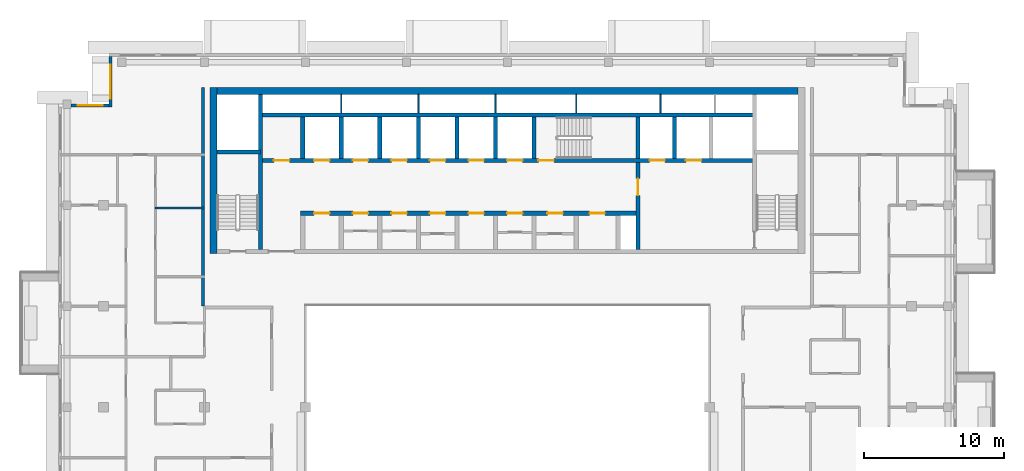
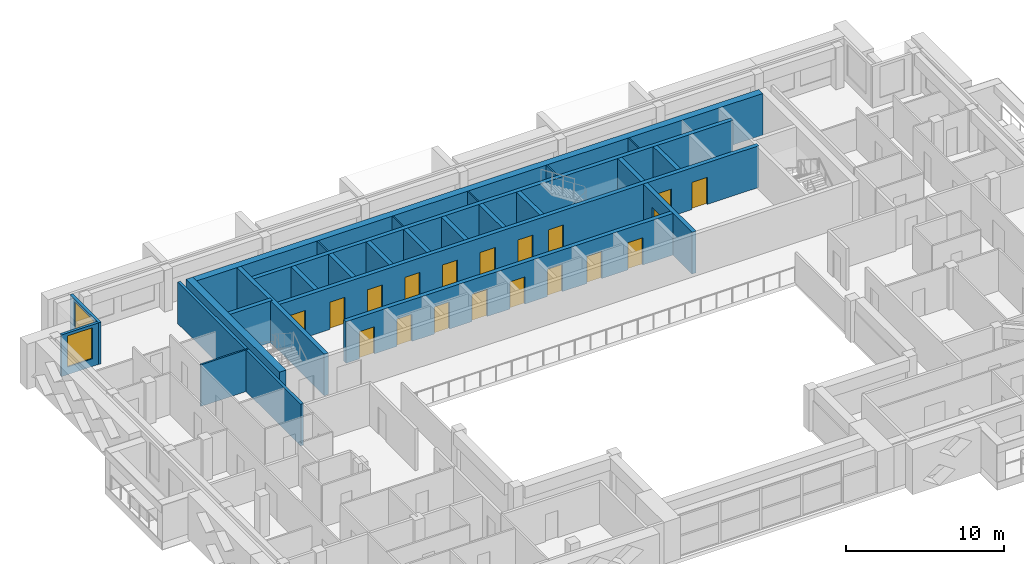
# One storey, part 10 of 19: 26 walls, 19 doors, 2 windows, 21 openings.
"""IFC4 building model written with IfcOpenShell, lengths in metres."""

from ifc_helpers import new_model, si_unit, direction, frame, frame_2d, origin, place, context, subcontext, project, spatial, rectangle, extrude, material, layer, layer_set, type_object, element, fill, save


model = new_model("IFC4")

# Units and contexts
model_context = context("Model", 3, precision=1e-05, world=origin(), true_north=direction((0.0, 1.0)))
body_context = subcontext(model_context, "Body", "Model", "MODEL_VIEW")
ifc_project = project(units=[si_unit("LENGTHUNIT", "METRE"), si_unit("AREAUNIT", "SQUARE_METRE"), si_unit("VOLUMEUNIT", "CUBIC_METRE"), si_unit("PLANEANGLEUNIT", "RADIAN"), si_unit("MASSUNIT", "GRAM", prefix="KILO")], contexts=[model_context])

# Site, building, storey
site_placement = place(None, origin())
site = spatial("IfcSite", under=ifc_project, at=site_placement, CompositionType="ELEMENT")
building_placement = place(site_placement, origin())
building = spatial("IfcBuilding", under=site, at=building_placement, Name="Saffron Iwan Residences", CompositionType="ELEMENT")
storey_placement = place(building_placement, frame((0.0, 0.0, 253.5)))
storey = spatial("IfcBuildingStorey", under=building, at=storey_placement, Name="L68", CompositionType="ELEMENT", Elevation=253.5)

# Wall, opening, window
ifc_material_1 = material(Name="Concrete C40/50", Category="concrete")
ifc_layer_1 = layer(ifc_material_1, 0.199951171875)
ifc_layer_set_1 = layer_set([ifc_layer_1], Name="Concrete C40/50")
wall_type_1 = type_object("IfcWallType", Name="EXTERNAL WALL 200", PredefinedType="SOLIDWALL", material=ifc_layer_set_1)
wall_1_placement = place(storey_placement, frame((22.10009765625, 80.199951171875, 0.0), z_axis=(0.0, 0.0, 1.0), x_axis=(0.0, -1.0, 0.0)))
wall_1 = element("IfcWall", 1, at=wall_1_placement, inside=storey, type_object=wall_type_1, Name="External wall L68 F6.0", PredefinedType="SOLIDWALL", context=body_context, shape_type="SweptSolid", body=[
    extrude(rectangle(XDim=3.599853515625, YDim=0.199951171875, at=frame_2d((1.7998046875, 0.0))), origin(), (0.0, 0.0, 1.0), 3.219970703125),
])
opening_1_placement = place(wall_1_placement, frame((0.60009765625, 0.0, 0.60009765625)))
opening_1 = element("IfcOpeningElement", 2, at=opening_1_placement, cuts=wall_1, Name="Opening W1", PredefinedType="OPENING", context=body_context, shape_type="SweptSolid", body=[
    extrude(rectangle(XDim=2.39990234375, YDim=2.39990234375, at=frame_2d((1.199951171875, 1.199951171875))), frame((0.0, 0.10986328125, 0.0), z_axis=(0.0, -1.0, 0.0), x_axis=(1.0, 0.0, 0.0)), (0.0, 0.0, 1.0), 0.219970703125),
])
ifc_material_2 = material(Name="Clear glass, laminated double glazed", Category="glass")
window_type_1 = type_object("IfcWindowType", Name="WINDOW 2400 x 2400", PartitioningType="DOUBLE_PANEL_VERTICAL", PredefinedType="WINDOW", material=ifc_material_2)
window_1_placement = place(opening_1_placement, origin())
window_1 = element("IfcWindow", 3, at=window_1_placement, inside=storey, type_object=window_type_1, Name="Window L68 F6.0", OverallHeight=2.39990234375, OverallWidth=2.39990234375, PartitioningType="DOUBLE_PANEL_VERTICAL", PredefinedType="WINDOW", context=body_context, shape_type="SweptSolid", body=[
    extrude(rectangle(XDim=2.39990234375, YDim=2.39990234375, at=frame_2d((1.199951171875, 1.199951171875))), frame((0.0, 0.030029296875, 0.0), z_axis=(0.0, -1.0, 0.0), x_axis=(1.0, 0.0, 0.0)), (0.0, 0.0, 1.0), 0.06005859375),
])
fill(opening_1, window_1)

wall_2_placement = place(storey_placement, frame((22.0, 76.699951171875, 0.0), z_axis=(0.0, 0.0, 1.0), x_axis=(-1.0, 0.0, 0.0)))
wall_2 = element("IfcWall", 4, at=wall_2_placement, inside=storey, type_object=wall_type_1, Name="External wall L68 F7.0", PredefinedType="SOLIDWALL", context=body_context, shape_type="SweptSolid", body=[
    extrude(rectangle(XDim=2.699951171875, YDim=0.199951171875, at=frame_2d((1.35009765625, 0.0))), origin(), (0.0, 0.0, 1.0), 3.219970703125),
])
opening_2_placement = place(wall_2_placement, frame((0.449951171875, 0.0, 0.60009765625)))
opening_2 = element("IfcOpeningElement", 5, at=opening_2_placement, cuts=wall_2, Name="Opening W8", PredefinedType="OPENING", context=body_context, shape_type="SweptSolid", body=[
    extrude(rectangle(XDim=1.800048828125, YDim=2.39990234375, at=frame_2d((0.89990234375, 1.199951171875))), frame((0.0, 0.10986328125, 0.0), z_axis=(0.0, -1.0, 0.0), x_axis=(1.0, 0.0, 0.0)), (0.0, 0.0, 1.0), 0.219970703125),
])
window_type_2 = type_object("IfcWindowType", Name="WINDOW 1800 x 2400", PartitioningType="DOUBLE_PANEL_VERTICAL", PredefinedType="WINDOW", material=ifc_material_2)
window_2_placement = place(opening_2_placement, origin())
window_2 = element("IfcWindow", 6, at=window_2_placement, inside=storey, type_object=window_type_2, Name="Window L68 F7.0", OverallHeight=2.39990234375, OverallWidth=1.800048828125, PartitioningType="DOUBLE_PANEL_VERTICAL", PredefinedType="WINDOW", context=body_context, shape_type="SweptSolid", body=[
    extrude(rectangle(XDim=1.800048828125, YDim=2.39990234375, at=frame_2d((0.89990234375, 1.199951171875))), frame((0.0, 0.030029296875, 0.0), z_axis=(0.0, -1.0, 0.0), x_axis=(1.0, 0.0, 0.0)), (0.0, 0.0, 1.0), 0.06005859375),
])
fill(opening_2, window_2)

# Walls
ifc_material_3 = material(Name="Gypsum board partition")
ifc_layer_2 = layer(ifc_material_3, 0.1201171875)
ifc_layer_set_2 = layer_set([ifc_layer_2], Name="Gypsum board partition")
wall_type_2 = type_object("IfcWallType", Name="Flat partition 120", PredefinedType="PARTITIONING", material=ifc_layer_set_2)
wall_3_placement = place(storey_placement, frame((25.300048828125, 69.39990234375, 0.0), z_axis=(0.0, 0.0, 1.0), x_axis=(1.0, 0.0, 0.0)))
element("IfcWall", 7, at=wall_3_placement, inside=storey, type_object=wall_type_2, Name="W-L68-PART-h69.4-25.3", PredefinedType="PARTITIONING", context=body_context, shape_type="SweptSolid", body=[
    extrude(rectangle(XDim=3.5, YDim=0.1201171875, at=frame_2d((1.75, 0.0))), origin(), (0.0, 0.0, 1.0), 3.219970703125),
])
ifc_material_4 = material(Name="Fire-rated gypsum board wall")
ifc_layer_3 = layer(ifc_material_4, 0.199951171875)
ifc_layer_set_3 = layer_set([ifc_layer_3], Name="Fire-rated gypsum board wall")
wall_type_3 = type_object("IfcWallType", Name="Gallery wall 200", PredefinedType="SOLIDWALL", material=ifc_layer_set_3)
wall_4_placement = place(storey_placement, frame((28.699951171875, 62.39990234375, 0.0), z_axis=(0.0, 0.0, 1.0), x_axis=(0.0, 1.0, 0.0)))
element("IfcWall", 8, at=wall_4_placement, inside=storey, type_object=wall_type_3, Name="W-L68-CORR-v28.8-62.4", PredefinedType="SOLIDWALL", context=body_context, shape_type="SweptSolid", body=[
    extrude(rectangle(XDim=15.60009765625, YDim=0.199951171875, at=frame_2d((7.800048828125, 0.0))), origin(), (0.0, 0.0, 1.0), 3.219970703125),
])
ifc_material_5 = material(Name="Fire-rated plasterboard partition")
ifc_layer_4 = layer(ifc_material_5, 0.10009765625)
ifc_layer_set_4 = layer_set([ifc_layer_4], Name="Fire-rated plasterboard partition")
wall_type_4 = type_object("IfcWallType", Name="Riser partition 100", PredefinedType="PARTITIONING", material=ifc_layer_set_4)
for number, where, z_axis, x_axis, name in (
    (9, (38.550048828125, 76.175048828125, 0.0), (0.0, 0.0, 1.0), (0.0, 1.0, 0.0), "Core partition P06"),
    (10, (44.050048828125, 76.175048828125, 0.0), (0.0, 0.0, 1.0), (0.0, 1.0, 0.0), "Core partition P07"),
    (11, (49.550048828125, 76.175048828125, 0.0), (0.0, 0.0, 1.0), (0.0, 1.0, 0.0), "Core partition P08"),
    (12, (55.300048828125, 76.175048828125, 0.0), (0.0, 0.0, 1.0), (0.0, 1.0, 0.0), "Core partition P09"),
    (13, (61.300048828125, 76.175048828125, 0.0), (0.0, 0.0, 1.0), (0.0, 1.0, 0.0), "Core partition P10"),
):
    element("IfcWall", number, at=place(storey_placement, frame(where, z_axis=z_axis, x_axis=x_axis)), inside=storey, type_object=wall_type_4, Name=name, PredefinedType="PARTITIONING", context=body_context, shape_type="SweptSolid", body=[
        extrude(rectangle(XDim=1.324951171875, YDim=0.10009765625, at=frame_2d((0.66259765625, 0.0))), origin(), (0.0, 0.0, 1.0), 3.219970703125),
    ])

# Wall, openings, doors
ifc_layer_5 = layer(ifc_material_1, 0.300048828125)
ifc_layer_set_5 = layer_set([ifc_layer_5], Name="Concrete C40/50")
wall_type_5 = type_object("IfcWallType", Name="WALL CORE 300 C40/50 3220 HIGH", PredefinedType="SHEAR", material=ifc_layer_set_5)
wall_5_placement = place(storey_placement, frame((35.64990234375, 69.02490234375, 0.0), z_axis=(0.0, 0.0, 1.0), x_axis=(1.0, 0.0, 0.0)))
wall_5 = element("IfcWall", 14, at=wall_5_placement, inside=storey, type_object=wall_type_5, Name="Core wall", PredefinedType="SHEAR", context=body_context, shape_type="SweptSolid", body=[
    extrude(rectangle(XDim=24.050048828125, YDim=0.300048828125, at=frame_2d((12.02490234375, 0.0))), origin(), (0.0, 0.0, 1.0), 3.219970703125),
])
opening_3_placement = place(wall_5_placement, frame((0.97509765625, 0.0, 0.0)))
opening_3 = element("IfcOpeningElement", 15, at=opening_3_placement, cuts=wall_5, Name="Opening SR", PredefinedType="OPENING", context=body_context, shape_type="SweptSolid", body=[
    extrude(rectangle(XDim=1.10009765625, YDim=2.10009765625, at=frame_2d((0.550048828125, 1.050048828125))), frame((0.0, 0.16015625, 0.0), z_axis=(0.0, -1.0, 0.0), x_axis=(1.0, 0.0, 0.0)), (0.0, 0.0, 1.0), 0.320068359375),
])
opening_4_placement = place(wall_5_placement, frame((3.72509765625, 0.0, 0.0)))
opening_4 = element("IfcOpeningElement", 16, at=opening_4_placement, cuts=wall_5, Name="Opening SR", PredefinedType="OPENING", context=body_context, shape_type="SweptSolid", body=[
    extrude(rectangle(XDim=1.10009765625, YDim=2.10009765625, at=frame_2d((0.550048828125, 1.050048828125))), frame((0.0, 0.16015625, 0.0), z_axis=(0.0, -1.0, 0.0), x_axis=(1.0, 0.0, 0.0)), (0.0, 0.0, 1.0), 0.320068359375),
])
opening_5_placement = place(wall_5_placement, frame((6.47509765625, 0.0, 0.0)))
opening_5 = element("IfcOpeningElement", 17, at=opening_5_placement, cuts=wall_5, Name="Opening SR", PredefinedType="OPENING", context=body_context, shape_type="SweptSolid", body=[
    extrude(rectangle(XDim=1.10009765625, YDim=2.10009765625, at=frame_2d((0.550048828125, 1.050048828125))), frame((0.0, 0.16015625, 0.0), z_axis=(0.0, -1.0, 0.0), x_axis=(1.0, 0.0, 0.0)), (0.0, 0.0, 1.0), 0.320068359375),
])
opening_6_placement = place(wall_5_placement, frame((9.22509765625, 0.0, 0.0)))
opening_6 = element("IfcOpeningElement", 18, at=opening_6_placement, cuts=wall_5, Name="Opening SR", PredefinedType="OPENING", context=body_context, shape_type="SweptSolid", body=[
    extrude(rectangle(XDim=1.10009765625, YDim=2.10009765625, at=frame_2d((0.550048828125, 1.050048828125))), frame((0.0, 0.16015625, 0.0), z_axis=(0.0, -1.0, 0.0), x_axis=(1.0, 0.0, 0.0)), (0.0, 0.0, 1.0), 0.320068359375),
])
opening_7_placement = place(wall_5_placement, frame((11.97509765625, 0.0, 0.0)))
opening_7 = element("IfcOpeningElement", 19, at=opening_7_placement, cuts=wall_5, Name="Opening SR", PredefinedType="OPENING", context=body_context, shape_type="SweptSolid", body=[
    extrude(rectangle(XDim=1.10009765625, YDim=2.10009765625, at=frame_2d((0.550048828125, 1.050048828125))), frame((0.0, 0.16015625, 0.0), z_axis=(0.0, -1.0, 0.0), x_axis=(1.0, 0.0, 0.0)), (0.0, 0.0, 1.0), 0.320068359375),
])
opening_8_placement = place(wall_5_placement, frame((14.72509765625, 0.0, 0.0)))
opening_8 = element("IfcOpeningElement", 20, at=opening_8_placement, cuts=wall_5, Name="Opening SR", PredefinedType="OPENING", context=body_context, shape_type="SweptSolid", body=[
    extrude(rectangle(XDim=1.10009765625, YDim=2.10009765625, at=frame_2d((0.550048828125, 1.050048828125))), frame((0.0, 0.16015625, 0.0), z_axis=(0.0, -1.0, 0.0), x_axis=(1.0, 0.0, 0.0)), (0.0, 0.0, 1.0), 0.320068359375),
])
opening_9_placement = place(wall_5_placement, frame((17.60009765625, 0.0, 0.0)))
opening_9 = element("IfcOpeningElement", 21, at=opening_9_placement, cuts=wall_5, Name="Opening SR", PredefinedType="OPENING", context=body_context, shape_type="SweptSolid", body=[
    extrude(rectangle(XDim=1.10009765625, YDim=2.10009765625, at=frame_2d((0.550048828125, 1.050048828125))), frame((0.0, 0.16015625, 0.0), z_axis=(0.0, -1.0, 0.0), x_axis=(1.0, 0.0, 0.0)), (0.0, 0.0, 1.0), 0.320068359375),
])
opening_10_placement = place(wall_5_placement, frame((20.60009765625, 0.0, 0.0)))
opening_10 = element("IfcOpeningElement", 22, at=opening_10_placement, cuts=wall_5, Name="Opening SR", PredefinedType="OPENING", context=body_context, shape_type="SweptSolid", body=[
    extrude(rectangle(XDim=1.10009765625, YDim=2.10009765625, at=frame_2d((0.550048828125, 1.050048828125))), frame((0.0, 0.16015625, 0.0), z_axis=(0.0, -1.0, 0.0), x_axis=(1.0, 0.0, 0.0)), (0.0, 0.0, 1.0), 0.320068359375),
])
ifc_material_6 = material(Name="Steel fire door", Category="steel")
door_type_1 = type_object("IfcDoorType", Name="Service door 1100", OperationType="NOTDEFINED", PredefinedType="DOOR", material=ifc_material_6)
door_1_placement = place(opening_3_placement, origin())
door_1 = element("IfcDoor", 23, at=door_1_placement, inside=storey, type_object=door_type_1, Name="Door Cleaner's store", OperationType="SINGLE_SWING_RIGHT", OverallHeight=2.10009765625, OverallWidth=1.10009765625, PredefinedType="DOOR", context=body_context, shape_type="SweptSolid", body=[
    extrude(rectangle(XDim=1.10009765625, YDim=2.10009765625, at=frame_2d((0.550048828125, 1.050048828125))), frame((0.0, 0.02490234375, 0.0), z_axis=(0.0, -1.0, 0.0), x_axis=(1.0, 0.0, 0.0)), (0.0, 0.0, 1.0), 0.050048828125),
])
fill(opening_3, door_1)
door_2_placement = place(opening_4_placement, origin())
door_2 = element("IfcDoor", 24, at=door_2_placement, inside=storey, type_object=door_type_1, Name="Door Trolley store", OperationType="SINGLE_SWING_LEFT", OverallHeight=2.10009765625, OverallWidth=1.10009765625, PredefinedType="DOOR", context=body_context, shape_type="SweptSolid", body=[
    extrude(rectangle(XDim=1.10009765625, YDim=2.10009765625, at=frame_2d((0.550048828125, 1.050048828125))), frame((0.0, 0.02490234375, 0.0), z_axis=(0.0, -1.0, 0.0), x_axis=(1.0, 0.0, 0.0)), (0.0, 0.0, 1.0), 0.050048828125),
])
fill(opening_4, door_2)
door_3_placement = place(opening_5_placement, origin())
door_3 = element("IfcDoor", 25, at=door_3_placement, inside=storey, type_object=door_type_1, Name="Door Communications room", OperationType="SINGLE_SWING_RIGHT", OverallHeight=2.10009765625, OverallWidth=1.10009765625, PredefinedType="DOOR", context=body_context, shape_type="SweptSolid", body=[
    extrude(rectangle(XDim=1.10009765625, YDim=2.10009765625, at=frame_2d((0.550048828125, 1.050048828125))), frame((0.0, 0.02490234375, 0.0), z_axis=(0.0, -1.0, 0.0), x_axis=(1.0, 0.0, 0.0)), (0.0, 0.0, 1.0), 0.050048828125),
])
fill(opening_5, door_3)
door_4_placement = place(opening_6_placement, origin())
door_4 = element("IfcDoor", 26, at=door_4_placement, inside=storey, type_object=door_type_1, Name="Door Switch room", OperationType="SINGLE_SWING_LEFT", OverallHeight=2.10009765625, OverallWidth=1.10009765625, PredefinedType="DOOR", context=body_context, shape_type="SweptSolid", body=[
    extrude(rectangle(XDim=1.10009765625, YDim=2.10009765625, at=frame_2d((0.550048828125, 1.050048828125))), frame((0.0, 0.02490234375, 0.0), z_axis=(0.0, -1.0, 0.0), x_axis=(1.0, 0.0, 0.0)), (0.0, 0.0, 1.0), 0.050048828125),
])
fill(opening_6, door_4)
door_5_placement = place(opening_7_placement, origin())
door_5 = element("IfcDoor", 27, at=door_5_placement, inside=storey, type_object=door_type_1, Name="Door Furniture store", OperationType="SINGLE_SWING_RIGHT", OverallHeight=2.10009765625, OverallWidth=1.10009765625, PredefinedType="DOOR", context=body_context, shape_type="SweptSolid", body=[
    extrude(rectangle(XDim=1.10009765625, YDim=2.10009765625, at=frame_2d((0.550048828125, 1.050048828125))), frame((0.0, 0.02490234375, 0.0), z_axis=(0.0, -1.0, 0.0), x_axis=(1.0, 0.0, 0.0)), (0.0, 0.0, 1.0), 0.050048828125),
])
fill(opening_7, door_5)
door_6_placement = place(opening_8_placement, origin())
door_6 = element("IfcDoor", 28, at=door_6_placement, inside=storey, type_object=door_type_1, Name="Door Housekeeping store", OperationType="SINGLE_SWING_LEFT", OverallHeight=2.10009765625, OverallWidth=1.10009765625, PredefinedType="DOOR", context=body_context, shape_type="SweptSolid", body=[
    extrude(rectangle(XDim=1.10009765625, YDim=2.10009765625, at=frame_2d((0.550048828125, 1.050048828125))), frame((0.0, 0.02490234375, 0.0), z_axis=(0.0, -1.0, 0.0), x_axis=(1.0, 0.0, 0.0)), (0.0, 0.0, 1.0), 0.050048828125),
])
fill(opening_8, door_6)
door_7_placement = place(opening_9_placement, origin())
door_7 = element("IfcDoor", 29, at=door_7_placement, inside=storey, type_object=door_type_1, Name="Door Pantry", OperationType="SINGLE_SWING_RIGHT", OverallHeight=2.10009765625, OverallWidth=1.10009765625, PredefinedType="DOOR", context=body_context, shape_type="SweptSolid", body=[
    extrude(rectangle(XDim=1.10009765625, YDim=2.10009765625, at=frame_2d((0.550048828125, 1.050048828125))), frame((0.0, 0.02490234375, 0.0), z_axis=(0.0, -1.0, 0.0), x_axis=(1.0, 0.0, 0.0)), (0.0, 0.0, 1.0), 0.050048828125),
])
fill(opening_9, door_7)
door_8_placement = place(opening_10_placement, origin())
door_8 = element("IfcDoor", 30, at=door_8_placement, inside=storey, type_object=door_type_1, Name="Door Electrical room", OperationType="SINGLE_SWING_RIGHT", OverallHeight=2.10009765625, OverallWidth=1.10009765625, PredefinedType="DOOR", context=body_context, shape_type="SweptSolid", body=[
    extrude(rectangle(XDim=1.10009765625, YDim=2.10009765625, at=frame_2d((0.550048828125, 1.050048828125))), frame((0.0, 0.02490234375, 0.0), z_axis=(0.0, -1.0, 0.0), x_axis=(1.0, 0.0, 0.0)), (0.0, 0.0, 1.0), 0.050048828125),
])
fill(opening_10, door_8)

wall_6_placement = place(storey_placement, frame((32.800048828125, 72.77490234375, 0.0), z_axis=(0.0, 0.0, 1.0), x_axis=(1.0, 0.0, 0.0)))
wall_6 = element("IfcWall", 31, at=wall_6_placement, inside=storey, type_object=wall_type_5, Name="Core wall", PredefinedType="SHEAR", context=body_context, shape_type="SweptSolid", body=[
    extrude(rectangle(XDim=35.199951171875, YDim=0.300048828125, at=frame_2d((17.60009765625, 0.0))), origin(), (0.0, 0.0, 1.0), 3.219970703125),
])
opening_11_placement = place(wall_6_placement, frame((19.800048828125, 0.0, 0.0)))
opening_11 = element("IfcOpeningElement", 32, at=opening_11_placement, cuts=wall_6, Name="Opening SD", PredefinedType="OPENING", context=body_context, shape_type="SweptSolid", body=[
    extrude(rectangle(XDim=1.10009765625, YDim=2.10009765625, at=frame_2d((0.550048828125, 1.050048828125))), frame((0.0, 0.16015625, 0.0), z_axis=(0.0, -1.0, 0.0), x_axis=(1.0, 0.0, 0.0)), (0.0, 0.0, 1.0), 0.320068359375),
])
opening_12_placement = place(wall_6_placement, frame((27.72509765625, 0.0, 0.0)))
opening_12 = element("IfcOpeningElement", 33, at=opening_12_placement, cuts=wall_6, Name="Opening LD", PredefinedType="OPENING", context=body_context, shape_type="SweptSolid", body=[
    extrude(rectangle(XDim=1.10009765625, YDim=2.10009765625, at=frame_2d((0.550048828125, 1.050048828125))), frame((0.0, 0.16015625, 0.0), z_axis=(0.0, -1.0, 0.0), x_axis=(1.0, 0.0, 0.0)), (0.0, 0.0, 1.0), 0.320068359375),
])
opening_13_placement = place(wall_6_placement, frame((30.324951171875, 0.0, 0.0)))
opening_13 = element("IfcOpeningElement", 34, at=opening_13_placement, cuts=wall_6, Name="Opening LD", PredefinedType="OPENING", context=body_context, shape_type="SweptSolid", body=[
    extrude(rectangle(XDim=1.10009765625, YDim=2.10009765625, at=frame_2d((0.550048828125, 1.050048828125))), frame((0.0, 0.16015625, 0.0), z_axis=(0.0, -1.0, 0.0), x_axis=(1.0, 0.0, 0.0)), (0.0, 0.0, 1.0), 0.320068359375),
])
opening_14_placement = place(wall_6_placement, frame((3.824951171875, 0.0, 0.0)))
opening_14 = element("IfcOpeningElement", 35, at=opening_14_placement, cuts=wall_6, Name="Opening LD", PredefinedType="OPENING", context=body_context, shape_type="SweptSolid", body=[
    extrude(rectangle(XDim=1.10009765625, YDim=2.10009765625, at=frame_2d((0.550048828125, 1.050048828125))), frame((0.0, 0.16015625, 0.0), z_axis=(0.0, -1.0, 0.0), x_axis=(1.0, 0.0, 0.0)), (0.0, 0.0, 1.0), 0.320068359375),
])
opening_15_placement = place(wall_6_placement, frame((6.574951171875, 0.0, 0.0)))
opening_15 = element("IfcOpeningElement", 36, at=opening_15_placement, cuts=wall_6, Name="Opening LD", PredefinedType="OPENING", context=body_context, shape_type="SweptSolid", body=[
    extrude(rectangle(XDim=1.10009765625, YDim=2.10009765625, at=frame_2d((0.550048828125, 1.050048828125))), frame((0.0, 0.16015625, 0.0), z_axis=(0.0, -1.0, 0.0), x_axis=(1.0, 0.0, 0.0)), (0.0, 0.0, 1.0), 0.320068359375),
])
opening_16_placement = place(wall_6_placement, frame((9.324951171875, 0.0, 0.0)))
opening_16 = element("IfcOpeningElement", 37, at=opening_16_placement, cuts=wall_6, Name="Opening LD", PredefinedType="OPENING", context=body_context, shape_type="SweptSolid", body=[
    extrude(rectangle(XDim=1.10009765625, YDim=2.10009765625, at=frame_2d((0.550048828125, 1.050048828125))), frame((0.0, 0.16015625, 0.0), z_axis=(0.0, -1.0, 0.0), x_axis=(1.0, 0.0, 0.0)), (0.0, 0.0, 1.0), 0.320068359375),
])
opening_17_placement = place(wall_6_placement, frame((12.074951171875, 0.0, 0.0)))
opening_17 = element("IfcOpeningElement", 38, at=opening_17_placement, cuts=wall_6, Name="Opening LD", PredefinedType="OPENING", context=body_context, shape_type="SweptSolid", body=[
    extrude(rectangle(XDim=1.10009765625, YDim=2.10009765625, at=frame_2d((0.550048828125, 1.050048828125))), frame((0.0, 0.16015625, 0.0), z_axis=(0.0, -1.0, 0.0), x_axis=(1.0, 0.0, 0.0)), (0.0, 0.0, 1.0), 0.320068359375),
])
opening_18_placement = place(wall_6_placement, frame((14.824951171875, 0.0, 0.0)))
opening_18 = element("IfcOpeningElement", 39, at=opening_18_placement, cuts=wall_6, Name="Opening LD", PredefinedType="OPENING", context=body_context, shape_type="SweptSolid", body=[
    extrude(rectangle(XDim=1.10009765625, YDim=2.10009765625, at=frame_2d((0.550048828125, 1.050048828125))), frame((0.0, 0.16015625, 0.0), z_axis=(0.0, -1.0, 0.0), x_axis=(1.0, 0.0, 0.0)), (0.0, 0.0, 1.0), 0.320068359375),
])
opening_19_placement = place(wall_6_placement, frame((17.574951171875, 0.0, 0.0)))
opening_19 = element("IfcOpeningElement", 40, at=opening_19_placement, cuts=wall_6, Name="Opening LD", PredefinedType="OPENING", context=body_context, shape_type="SweptSolid", body=[
    extrude(rectangle(XDim=1.10009765625, YDim=2.10009765625, at=frame_2d((0.550048828125, 1.050048828125))), frame((0.0, 0.16015625, 0.0), z_axis=(0.0, -1.0, 0.0), x_axis=(1.0, 0.0, 0.0)), (0.0, 0.0, 1.0), 0.320068359375),
])
opening_20_placement = place(wall_6_placement, frame((0.949951171875, 0.0, 0.0)))
opening_20 = element("IfcOpeningElement", 41, at=opening_20_placement, cuts=wall_6, Name="Opening SR", PredefinedType="OPENING", context=body_context, shape_type="SweptSolid", body=[
    extrude(rectangle(XDim=1.10009765625, YDim=2.10009765625, at=frame_2d((0.550048828125, 1.050048828125))), frame((0.0, 0.16015625, 0.0), z_axis=(0.0, -1.0, 0.0), x_axis=(1.0, 0.0, 0.0)), (0.0, 0.0, 1.0), 0.320068359375),
])
door_type_2 = type_object("IfcDoorType", Name="Lift landing door 1100", OperationType="SLIDING_TO_LEFT", PredefinedType="DOOR", material=ifc_material_6)
door_9_placement = place(opening_12_placement, origin())
door_9 = element("IfcDoor", 42, at=door_9_placement, inside=storey, type_object=door_type_2, Name="Landing doors FF1", OperationType="SLIDING_TO_LEFT", OverallHeight=2.10009765625, OverallWidth=1.10009765625, PredefinedType="DOOR", context=body_context, shape_type="SweptSolid", body=[
    extrude(rectangle(XDim=1.10009765625, YDim=2.10009765625, at=frame_2d((0.550048828125, 1.050048828125))), frame((0.0, 0.02490234375, 0.0), z_axis=(0.0, -1.0, 0.0), x_axis=(1.0, 0.0, 0.0)), (0.0, 0.0, 1.0), 0.050048828125),
])
fill(opening_12, door_9)
door_10_placement = place(opening_13_placement, origin())
door_10 = element("IfcDoor", 43, at=door_10_placement, inside=storey, type_object=door_type_2, Name="Landing doors FF2", OperationType="SLIDING_TO_LEFT", OverallHeight=2.10009765625, OverallWidth=1.10009765625, PredefinedType="DOOR", context=body_context, shape_type="SweptSolid", body=[
    extrude(rectangle(XDim=1.10009765625, YDim=2.10009765625, at=frame_2d((0.550048828125, 1.050048828125))), frame((0.0, 0.02490234375, 0.0), z_axis=(0.0, -1.0, 0.0), x_axis=(1.0, 0.0, 0.0)), (0.0, 0.0, 1.0), 0.050048828125),
])
fill(opening_13, door_10)
door_11_placement = place(opening_14_placement, origin())
door_11 = element("IfcDoor", 44, at=door_11_placement, inside=storey, type_object=door_type_2, Name="Landing doors HR1", OperationType="SLIDING_TO_LEFT", OverallHeight=2.10009765625, OverallWidth=1.10009765625, PredefinedType="DOOR", context=body_context, shape_type="SweptSolid", body=[
    extrude(rectangle(XDim=1.10009765625, YDim=2.10009765625, at=frame_2d((0.550048828125, 1.050048828125))), frame((0.0, 0.02490234375, 0.0), z_axis=(0.0, -1.0, 0.0), x_axis=(1.0, 0.0, 0.0)), (0.0, 0.0, 1.0), 0.050048828125),
])
fill(opening_14, door_11)
door_12_placement = place(opening_15_placement, origin())
door_12 = element("IfcDoor", 45, at=door_12_placement, inside=storey, type_object=door_type_2, Name="Landing doors HR2", OperationType="SLIDING_TO_LEFT", OverallHeight=2.10009765625, OverallWidth=1.10009765625, PredefinedType="DOOR", context=body_context, shape_type="SweptSolid", body=[
    extrude(rectangle(XDim=1.10009765625, YDim=2.10009765625, at=frame_2d((0.550048828125, 1.050048828125))), frame((0.0, 0.02490234375, 0.0), z_axis=(0.0, -1.0, 0.0), x_axis=(1.0, 0.0, 0.0)), (0.0, 0.0, 1.0), 0.050048828125),
])
fill(opening_15, door_12)
door_13_placement = place(opening_16_placement, origin())
door_13 = element("IfcDoor", 46, at=door_13_placement, inside=storey, type_object=door_type_2, Name="Landing doors HR3", OperationType="SLIDING_TO_LEFT", OverallHeight=2.10009765625, OverallWidth=1.10009765625, PredefinedType="DOOR", context=body_context, shape_type="SweptSolid", body=[
    extrude(rectangle(XDim=1.10009765625, YDim=2.10009765625, at=frame_2d((0.550048828125, 1.050048828125))), frame((0.0, 0.02490234375, 0.0), z_axis=(0.0, -1.0, 0.0), x_axis=(1.0, 0.0, 0.0)), (0.0, 0.0, 1.0), 0.050048828125),
])
fill(opening_16, door_13)
door_14_placement = place(opening_17_placement, origin())
door_14 = element("IfcDoor", 47, at=door_14_placement, inside=storey, type_object=door_type_2, Name="Landing doors HR4", OperationType="SLIDING_TO_LEFT", OverallHeight=2.10009765625, OverallWidth=1.10009765625, PredefinedType="DOOR", context=body_context, shape_type="SweptSolid", body=[
    extrude(rectangle(XDim=1.10009765625, YDim=2.10009765625, at=frame_2d((0.550048828125, 1.050048828125))), frame((0.0, 0.02490234375, 0.0), z_axis=(0.0, -1.0, 0.0), x_axis=(1.0, 0.0, 0.0)), (0.0, 0.0, 1.0), 0.050048828125),
])
fill(opening_17, door_14)
door_15_placement = place(opening_18_placement, origin())
door_15 = element("IfcDoor", 48, at=door_15_placement, inside=storey, type_object=door_type_2, Name="Landing doors HR5", OperationType="SLIDING_TO_LEFT", OverallHeight=2.10009765625, OverallWidth=1.10009765625, PredefinedType="DOOR", context=body_context, shape_type="SweptSolid", body=[
    extrude(rectangle(XDim=1.10009765625, YDim=2.10009765625, at=frame_2d((0.550048828125, 1.050048828125))), frame((0.0, 0.02490234375, 0.0), z_axis=(0.0, -1.0, 0.0), x_axis=(1.0, 0.0, 0.0)), (0.0, 0.0, 1.0), 0.050048828125),
])
fill(opening_18, door_15)
door_16_placement = place(opening_19_placement, origin())
door_16 = element("IfcDoor", 49, at=door_16_placement, inside=storey, type_object=door_type_2, Name="Landing doors HR6", OperationType="SLIDING_TO_LEFT", OverallHeight=2.10009765625, OverallWidth=1.10009765625, PredefinedType="DOOR", context=body_context, shape_type="SweptSolid", body=[
    extrude(rectangle(XDim=1.10009765625, YDim=2.10009765625, at=frame_2d((0.550048828125, 1.050048828125))), frame((0.0, 0.02490234375, 0.0), z_axis=(0.0, -1.0, 0.0), x_axis=(1.0, 0.0, 0.0)), (0.0, 0.0, 1.0), 0.050048828125),
])
fill(opening_19, door_16)
door_17_placement = place(opening_20_placement, origin())
door_17 = element("IfcDoor", 50, at=door_17_placement, inside=storey, type_object=door_type_1, Name="Door Storage room", OperationType="SINGLE_SWING_LEFT", OverallHeight=2.10009765625, OverallWidth=1.10009765625, PredefinedType="DOOR", context=body_context, shape_type="SweptSolid", body=[
    extrude(rectangle(XDim=1.10009765625, YDim=2.10009765625, at=frame_2d((0.550048828125, 1.050048828125))), frame((0.0, 0.02490234375, 0.0), z_axis=(0.0, -1.0, 0.0), x_axis=(1.0, 0.0, 0.0)), (0.0, 0.0, 1.0), 0.050048828125),
])
fill(opening_20, door_17)
door_type_3 = type_object("IfcDoorType", Name="Stair door 1100", OperationType="NOTDEFINED", PredefinedType="DOOR", material=ifc_material_6)
door_18_placement = place(opening_11_placement, origin())
door_18 = element("IfcDoor", 51, at=door_18_placement, inside=storey, type_object=door_type_3, Name="Stair door ST-C", OperationType="SINGLE_SWING_LEFT", OverallHeight=2.10009765625, OverallWidth=1.10009765625, PredefinedType="DOOR", context=body_context, shape_type="SweptSolid", body=[
    extrude(rectangle(XDim=1.10009765625, YDim=2.10009765625, at=frame_2d((0.550048828125, 1.050048828125))), frame((0.0, 0.02490234375, 0.0), z_axis=(0.0, -1.0, 0.0), x_axis=(1.0, 0.0, 0.0)), (0.0, 0.0, 1.0), 0.050048828125),
])
fill(opening_11, door_18)

# Walls
wall_7_placement = place(storey_placement, frame((32.800048828125, 76.02490234375, 0.0), z_axis=(0.0, 0.0, 1.0), x_axis=(1.0, 0.0, 0.0)))
element("IfcWall", 52, at=wall_7_placement, inside=storey, type_object=wall_type_5, Name="Core wall", PredefinedType="SHEAR", context=body_context, shape_type="SweptSolid", body=[
    extrude(rectangle(XDim=35.199951171875, YDim=0.300048828125, at=frame_2d((17.60009765625, 0.0))), origin(), (0.0, 0.0, 1.0), 3.219970703125),
])
wall_8_placement = place(storey_placement, frame((29.699951171875, 73.39990234375, 0.0), z_axis=(0.0, 0.0, 1.0), x_axis=(1.0, 0.0, 0.0)))
element("IfcWall", 53, at=wall_8_placement, inside=storey, type_object=wall_type_5, Name="Core wall", PredefinedType="SHEAR", context=body_context, shape_type="SweptSolid", body=[
    extrude(rectangle(XDim=3.10009765625, YDim=0.300048828125, at=frame_2d((1.550048828125, 0.0))), origin(), (0.0, 0.0, 1.0), 3.219970703125),
])
wall_9_placement = place(storey_placement, frame((32.800048828125, 66.449951171875, 0.0), z_axis=(0.0, 0.0, 1.0), x_axis=(0.0, 1.0, 0.0)))
element("IfcWall", 54, at=wall_9_placement, inside=storey, type_object=wall_type_5, Name="Core wall", PredefinedType="SHEAR", context=body_context, shape_type="SweptSolid", body=[
    extrude(rectangle(XDim=11.050048828125, YDim=0.300048828125, at=frame_2d((5.52490234375, 0.0))), origin(), (0.0, 0.0, 1.0), 3.219970703125),
])

# Wall, opening, door
wall_10_placement = place(storey_placement, frame((59.699951171875, 66.449951171875, 0.0), z_axis=(0.0, 0.0, 1.0), x_axis=(0.0, 1.0, 0.0)))
wall_10 = element("IfcWall", 55, at=wall_10_placement, inside=storey, type_object=wall_type_5, Name="Core wall", PredefinedType="SHEAR", context=body_context, shape_type="SweptSolid", body=[
    extrude(rectangle(XDim=6.175048828125, YDim=0.300048828125, at=frame_2d((3.08740234375, 0.0))), origin(), (0.0, 0.0, 1.0), 3.219970703125),
])
opening_21_placement = place(wall_10_placement, frame((3.85009765625, 0.0, 0.0)))
opening_21 = element("IfcOpeningElement", 56, at=opening_21_placement, cuts=wall_10, Name="Opening FD", PredefinedType="OPENING", context=body_context, shape_type="SweptSolid", body=[
    extrude(rectangle(XDim=1.199951171875, YDim=2.10009765625, at=frame_2d((0.60009765625, 1.050048828125))), frame((0.0, 0.16015625, 0.0), z_axis=(0.0, -1.0, 0.0), x_axis=(1.0, 0.0, 0.0)), (0.0, 0.0, 1.0), 0.320068359375),
])
door_type_4 = type_object("IfcDoorType", Name="Firefighting lobby door 1200", OperationType="NOTDEFINED", PredefinedType="DOOR", material=ifc_material_6)
door_19_placement = place(opening_21_placement, origin())
door_19 = element("IfcDoor", 57, at=door_19_placement, inside=storey, type_object=door_type_4, Name="Firefighting lobby door", OperationType="SINGLE_SWING_LEFT", OverallHeight=2.10009765625, OverallWidth=1.199951171875, PredefinedType="DOOR", context=body_context, shape_type="SweptSolid", body=[
    extrude(rectangle(XDim=1.199951171875, YDim=2.10009765625, at=frame_2d((0.60009765625, 1.050048828125))), frame((0.0, 0.02490234375, 0.0), z_axis=(0.0, -1.0, 0.0), x_axis=(1.0, 0.0, 0.0)), (0.0, 0.0, 1.0), 0.050048828125),
])
fill(opening_21, door_19)

# Walls
for number, where, z_axis, x_axis, name in (
    (58, (59.699951171875, 72.925048828125, 0.0), (0.0, 0.0, 1.0), (0.0, 1.0, 0.0), "Core wall"),
    (59, (35.800048828125, 72.925048828125, 0.0), (0.0, 0.0, 1.0), (0.0, 1.0, 0.0), "Core wall"),
    (60, (38.550048828125, 72.925048828125, 0.0), (0.0, 0.0, 1.0), (0.0, 1.0, 0.0), "Core wall"),
    (61, (41.300048828125, 72.925048828125, 0.0), (0.0, 0.0, 1.0), (0.0, 1.0, 0.0), "Core wall"),
    (62, (44.050048828125, 72.925048828125, 0.0), (0.0, 0.0, 1.0), (0.0, 1.0, 0.0), "Core wall"),
    (63, (46.800048828125, 72.925048828125, 0.0), (0.0, 0.0, 1.0), (0.0, 1.0, 0.0), "Core wall"),
    (64, (49.550048828125, 72.925048828125, 0.0), (0.0, 0.0, 1.0), (0.0, 1.0, 0.0), "Core wall"),
    (65, (52.300048828125, 72.925048828125, 0.0), (0.0, 0.0, 1.0), (0.0, 1.0, 0.0), "Core wall"),
    (66, (62.300048828125, 72.925048828125, 0.0), (0.0, 0.0, 1.0), (0.0, 1.0, 0.0), "Core wall"),
):
    element("IfcWall", number, at=place(storey_placement, frame(where, z_axis=z_axis, x_axis=x_axis)), inside=storey, type_object=wall_type_5, Name=name, PredefinedType="SHEAR", context=body_context, shape_type="SweptSolid", body=[
        extrude(rectangle(XDim=2.949951171875, YDim=0.300048828125, at=frame_2d((1.47509765625, 0.0))), origin(), (0.0, 0.0, 1.0), 3.219970703125),
    ])
ifc_layer_6 = layer(ifc_material_1, 0.5)
ifc_layer_set_6 = layer_set([ifc_layer_6], Name="Concrete C40/50")
wall_type_6 = type_object("IfcWallType", Name="WALL CORE 500 C40/50 3220 HIGH", PredefinedType="SHEAR", material=ifc_layer_set_6)
wall_11_placement = place(storey_placement, frame((29.449951171875, 66.14990234375, 0.0), z_axis=(0.0, 0.0, 1.0), x_axis=(0.0, 1.0, 0.0)))
element("IfcWall", 67, at=wall_11_placement, inside=storey, type_object=wall_type_6, Name="Core wall", PredefinedType="SHEAR", context=body_context, shape_type="SweptSolid", body=[
    extrude(rectangle(XDim=11.85009765625, YDim=0.5, at=frame_2d((5.925048828125, 0.0))), origin(), (0.0, 0.0, 1.0), 3.219970703125),
])
wall_12_placement = place(storey_placement, frame((29.699951171875, 77.75, 0.0), z_axis=(0.0, 0.0, 1.0), x_axis=(1.0, 0.0, 0.0)))
element("IfcWall", 68, at=wall_12_placement, inside=storey, type_object=wall_type_6, Name="Core wall", PredefinedType="SHEAR", context=body_context, shape_type="SweptSolid", body=[
    extrude(rectangle(XDim=41.400146484375, YDim=0.5, at=frame_2d((20.7001953125, 0.0))), origin(), (0.0, 0.0, 1.0), 3.219970703125),
])

save(model, "model.ifc")
